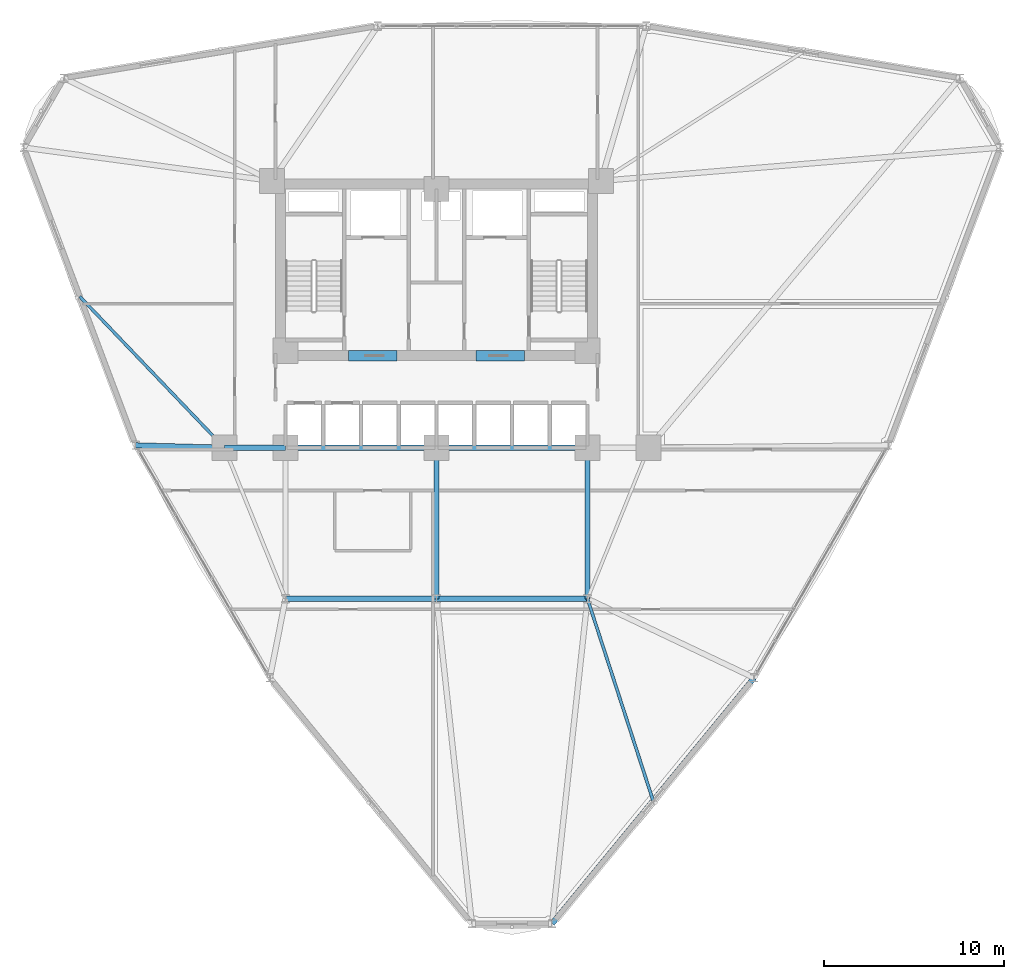
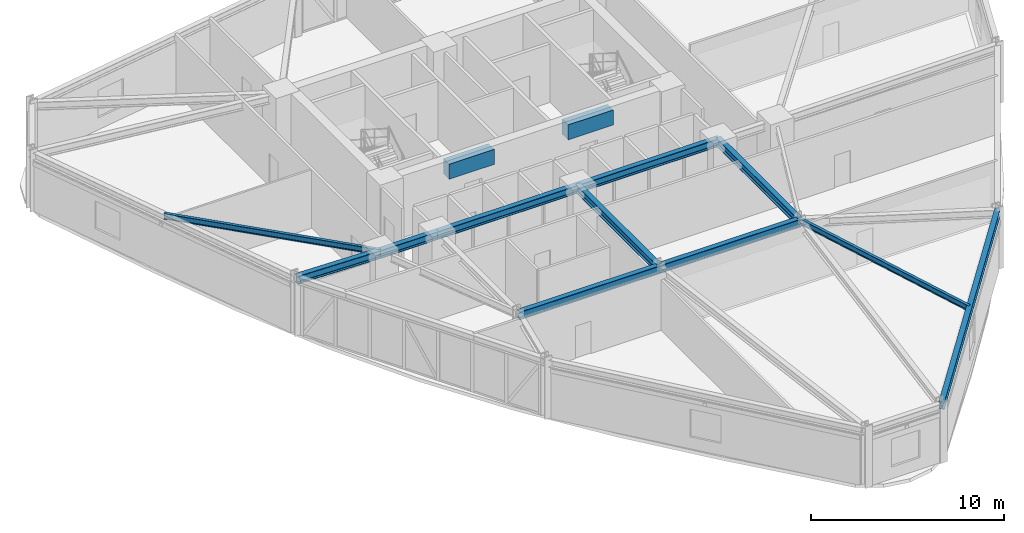
# One storey, part 5 of 20: 13 beams.
"""IFC4 building model written with IfcOpenShell, lengths in metres."""

from ifc_helpers import new_model, si_unit, derived_unit, direction, frame, origin, origin_2d, place, context, subcontext, project, spatial, rectangle, i_section, extrude, source, transform, mapped, material, material_profile, profile_set, type_object, element, save


model = new_model("IFC4")

# Units and contexts
model_context = context("Model", 3, precision=1e-05, world=origin(), true_north=direction((0.0, 1.0)))
body_context = subcontext(model_context, "Body", "Model", "MODEL_VIEW")
ifc_project = project(units=[si_unit("LENGTHUNIT", "METRE"), si_unit("AREAUNIT", "SQUARE_METRE"), si_unit("VOLUMEUNIT", "CUBIC_METRE"), si_unit("PLANEANGLEUNIT", "RADIAN"), si_unit("MASSUNIT", "GRAM", prefix="KILO"), derived_unit("THERMALTRANSMITTANCEUNIT", [(si_unit("POWERUNIT", "WATT"), 1), (si_unit("LENGTHUNIT", "METRE"), -2), (si_unit("THERMODYNAMICTEMPERATUREUNIT", "KELVIN"), -1)])], contexts=[model_context])

# Site, building, storey
site_placement = place(None, origin())
site = spatial("IfcSite", under=ifc_project, at=site_placement, CompositionType="ELEMENT")
building_placement = place(site_placement, origin())
building = spatial("IfcBuilding", under=site, at=building_placement, Name="Korsvarv Bourse and Concert Hall", CompositionType="ELEMENT")
storey_placement = place(building_placement, frame((0.0, 0.0, 75.60009765625)))
storey = spatial("IfcBuildingStorey", under=building, at=storey_placement, Name="L18", CompositionType="ELEMENT", Elevation=75.60009765625)

# Beams
ifc_material_1 = material(Name="Concrete C55/67", Category="concrete")
ifc_material_profile_1 = material_profile(ifc_material_1, rectangle(XDim=0.60009765625, YDim=0.949951171875, at=origin_2d()), Name="RC-BM 600x950")
ifc_profile_set_1 = profile_set([ifc_material_profile_1], Name="Concrete C55/67")
beam_type_1 = type_object("IfcBeamType", Name="BM-CPL", PredefinedType="LINTEL", material=ifc_profile_set_1)
shared_shape_1 = source(origin(), body_context, "Body", "SweptSolid", [
    extrude(rectangle(XDim=0.60009765625, YDim=0.949951171875, at=origin_2d()), origin(), (0.0, 0.0, 1.0), 2.699951171875),
])
for number, where, z_axis, x_axis, name in (
    (1, (31.10009765625, 37.52490234375, 3.204833984375), (1.0, 0.0, 0.0), (0.0, 1.0, 0.0), "L18 Core Coupling Beam West"),
    (2, (38.199951171875, 37.52490234375, 3.204833984375), (1.0, 0.0, 0.0), (0.0, 1.0, 0.0), "L18 Core Coupling Beam East"),
):
    element("IfcBeam", number, at=place(storey_placement, frame(where, z_axis=z_axis, x_axis=x_axis)), inside=storey, type_object=beam_type_1, Name=name, PredefinedType="LINTEL", context=body_context, shape_type="MappedRepresentation", body=[
        mapped(shared_shape_1, transform((0.0, 0.0, 0.0), scale=1.0)),
    ])
ifc_material_2 = material(Name="Steel S355", Category="steel")
ifc_material_profile_2 = material_profile(ifc_material_2, i_section(OverallWidth=0.300048828125, OverallDepth=0.5, WebThickness=0.014404296875, FlangeThickness=0.028076171875, FilletRadius=0.02392578125, at=origin_2d()), Name="HEB 500")
ifc_profile_set_2 = profile_set([ifc_material_profile_2], Name="Steel S355")
beam_type_2 = type_object("IfcBeamType", Name="BM-HEB500", PredefinedType="BEAM", material=ifc_profile_set_2)
shared_shape_2 = source(origin(), body_context, "Body", "SweptSolid", [
    extrude(i_section(OverallWidth=0.300048828125, OverallDepth=0.5, WebThickness=0.014404296875, FlangeThickness=0.028076171875, FilletRadius=0.02392578125, at=origin_2d()), origin(), (0.0, 0.0, 1.0), 3.400146484375),
])
beam_1_placement = place(storey_placement, frame((24.199951171875, 32.39990234375, 3.429931640625), z_axis=(1.0, 0.0, 0.0), x_axis=(0.0, 1.0, 0.0)))
element("IfcBeam", 3, at=beam_1_placement, inside=storey, type_object=beam_type_2, Name="L18 beam B-07", PredefinedType="BEAM", context=body_context, shape_type="MappedRepresentation", body=[
    mapped(shared_shape_2, transform((0.0, 0.0, 0.0), scale=1.0)),
])
shared_shape_3 = source(origin(), body_context, "Body", "SweptSolid", [
    extrude(i_section(OverallWidth=0.300048828125, OverallDepth=0.5, WebThickness=0.014404296875, FlangeThickness=0.028076171875, FilletRadius=0.02392578125, at=origin_2d()), origin(), (0.0, 0.0, 1.0), 8.39990234375),
])
for number, where, z_axis, x_axis, name in (
    (4, (27.60009765625, 32.39990234375, 3.429931640625), (1.0, 0.0, 0.0), (0.0, 1.0, 0.0), "L18 beam B-07"),
    (5, (36.0, 32.39990234375, 3.429931640625), (1.0, 0.0, 0.0), (0.0, 1.0, 0.0), "L18 beam B-07"),
    (6, (27.60009765625, 24.0, 3.429931640625), (1.0, 0.0, 0.0), (0.0, 1.0, 0.0), "L18 beam B-07"),
    (7, (36.0, 24.0, 3.429931640625), (1.0, 0.0, 0.0), (0.0, 1.0, 0.0), "L18 beam B-07"),
    (8, (36.0, 24.0, 3.429931640625), (0.0, 1.0, 0.0), (-1.0, 0.0, 0.0), "L18 beam B-07"),
    (9, (44.39990234375, 24.0, 3.429931640625), (0.0, 1.0, 0.0), (-1.0, 0.0, 0.0), "L18 beam B-07"),
):
    element("IfcBeam", number, at=place(storey_placement, frame(where, z_axis=z_axis, x_axis=x_axis)), inside=storey, type_object=beam_type_2, Name=name, PredefinedType="BEAM", context=body_context, shape_type="MappedRepresentation", body=[
        mapped(shared_shape_3, transform((0.0, 0.0, 0.0), scale=1.0)),
    ])
ifc_material_profile_3 = material_profile(ifc_material_2, i_section(OverallWidth=0.300048828125, OverallDepth=0.449951171875, WebThickness=0.013916015625, FlangeThickness=0.02587890625, FilletRadius=0.02099609375, at=origin_2d()), Name="HEB 450")
ifc_profile_set_3 = profile_set([ifc_material_profile_3], Name="Steel S355")
beam_type_3 = type_object("IfcBeamType", Name="BM-HEB450", PredefinedType="SPANDREL", material=ifc_profile_set_3)
shared_shape_4 = source(origin(), body_context, "Body", "SweptSolid", [
    extrude(i_section(OverallWidth=0.300048828125, OverallDepth=0.449951171875, WebThickness=0.013916015625, FlangeThickness=0.02587890625, FilletRadius=0.02099609375, at=origin_2d()), origin(), (0.0, 0.0, 1.0), 17.697998046875),
])
beam_2_placement = place(storey_placement, frame((42.43408203125, 5.92578125, 3.454833984375), z_axis=(0.634964737332, 0.772541120165, 0.0), x_axis=(-0.772541120165, 0.634964737332, 0.0)))
element("IfcBeam", 10, at=beam_2_placement, inside=storey, type_object=beam_type_3, Name="L18 beam B-08", PredefinedType="SPANDREL", context=body_context, shape_type="MappedRepresentation", body=[
    mapped(shared_shape_4, transform((0.0, 0.0, 0.0), scale=1.0)),
])
shared_shape_5 = source(origin(), body_context, "Body", "SweptSolid", [
    extrude(i_section(OverallWidth=0.300048828125, OverallDepth=0.5, WebThickness=0.014404296875, FlangeThickness=0.028076171875, FilletRadius=0.02392578125, at=origin_2d()), origin(), (0.0, 0.0, 1.0), 4.94189453125),
])
beam_3_placement = place(storey_placement, frame((19.259765625, 32.5341796875, 3.429931640625), z_axis=(0.999630811292, -0.027170592845, 0.0), x_axis=(0.027170592845, 0.999630811292, 0.0)))
element("IfcBeam", 11, at=beam_3_placement, inside=storey, type_object=beam_type_2, Name="L18 beam B-07", PredefinedType="BEAM", context=body_context, shape_type="MappedRepresentation", body=[
    mapped(shared_shape_5, transform((0.0, 0.0, 0.0), scale=1.0)),
])
ifc_material_profile_4 = material_profile(ifc_material_2, i_section(OverallWidth=0.169921875, OverallDepth=0.360107421875, WebThickness=0.008056640625, FlangeThickness=0.0126953125, FilletRadius=0.01806640625, at=origin_2d()), Name="IPE 360")
ifc_profile_set_4 = profile_set([ifc_material_profile_4], Name="Steel S355")
beam_type_4 = type_object("IfcBeamType", Name="BM-IPE360", PredefinedType="JOIST", material=ifc_profile_set_4)
shared_shape_6 = source(origin(), body_context, "Body", "SweptSolid", [
    extrude(i_section(OverallWidth=0.169921875, OverallDepth=0.360107421875, WebThickness=0.008056640625, FlangeThickness=0.0126953125, FilletRadius=0.01806640625, at=origin_2d()), origin(), (0.0, 0.0, 1.0), 11.648681640625),
])
beam_4_placement = place(storey_placement, frame((16.148681640625, 40.818115234375, 3.5), z_axis=(0.691180768498, -0.722681911534, 0.0), x_axis=(0.722681911534, 0.691180768498, 0.0)))
element("IfcBeam", 12, at=beam_4_placement, inside=storey, type_object=beam_type_4, Name="L18 beam J-06", PredefinedType="JOIST", context=body_context, shape_type="MappedRepresentation", body=[
    mapped(shared_shape_6, transform((0.0, 0.0, 0.0), scale=1.0)),
])
shared_shape_7 = source(origin(), body_context, "Body", "SweptSolid", [
    extrude(i_section(OverallWidth=0.169921875, OverallDepth=0.360107421875, WebThickness=0.008056640625, FlangeThickness=0.0126953125, FilletRadius=0.01806640625, at=origin_2d()), origin(), (0.0, 0.0, 1.0), 11.81689453125),
])
beam_5_placement = place(storey_placement, frame((48.052978515625, 12.761962890625, 3.5), z_axis=(-0.309140730058, 0.951016303235, 0.0), x_axis=(-0.951016303235, -0.309140730058, 0.0)))
element("IfcBeam", 13, at=beam_5_placement, inside=storey, type_object=beam_type_4, Name="L18 beam J-06", PredefinedType="JOIST", context=body_context, shape_type="MappedRepresentation", body=[
    mapped(shared_shape_7, transform((0.0, 0.0, 0.0), scale=1.0)),
])

save(model, "model.ifc")
